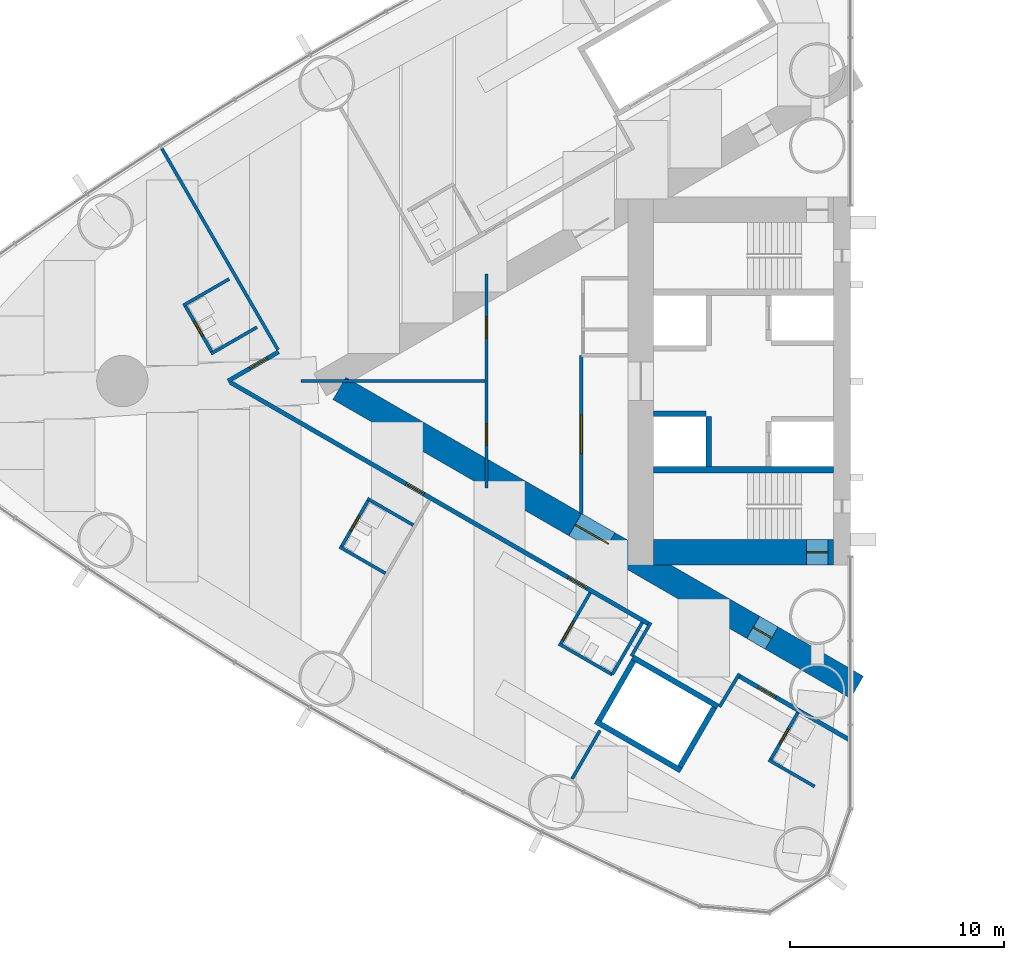
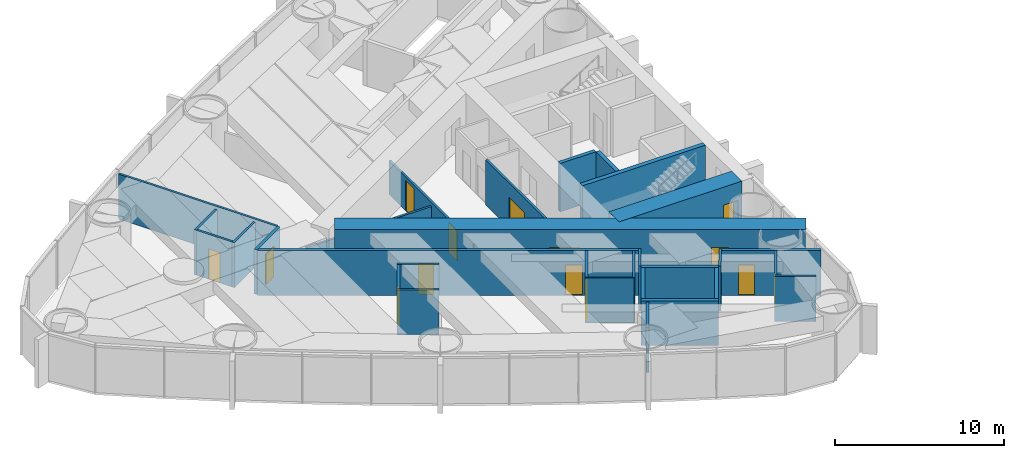
# One storey, part 11 of 18: 30 walls, 14 doors, 14 openings.
"""IFC4 building model written with IfcOpenShell, lengths in metres."""

from ifc_helpers import new_model, si_unit, direction, frame, frame_2d, origin, place, context, subcontext, project, spatial, rectangle, extrude, material, layer, layer_set, type_object, element, fill, save


model = new_model("IFC4")

# Units and contexts
model_context = context("Model", 3, precision=1e-05, world=origin(), true_north=direction((0.0, 1.0)))
body_context = subcontext(model_context, "Body", "Model", "MODEL_VIEW")
ifc_project = project(units=[si_unit("LENGTHUNIT", "METRE"), si_unit("AREAUNIT", "SQUARE_METRE"), si_unit("VOLUMEUNIT", "CUBIC_METRE"), si_unit("PLANEANGLEUNIT", "RADIAN"), si_unit("MASSUNIT", "GRAM", prefix="KILO")], contexts=[model_context])

# Site, building, storey
site_placement = place(None, origin())
site = spatial("IfcSite", under=ifc_project, at=site_placement, CompositionType="ELEMENT")
building_placement = place(site_placement, origin())
building = spatial("IfcBuilding", under=site, at=building_placement, Name="Lancet Gate Hotel", CompositionType="ELEMENT")
storey_placement = place(building_placement, frame((0.0, 0.0, 129.10009765625)))
storey = spatial("IfcBuildingStorey", under=building, at=storey_placement, Name="L34", CompositionType="ELEMENT", Elevation=129.10009765625)

# Wall
ifc_material_1 = material(Name="Moisture resistant board partition")
ifc_layer_1 = layer(ifc_material_1, 0.14990234375)
ifc_layer_set_1 = layer_set([ifc_layer_1], Name="Bathroom wall 150")
wall_type_1 = type_object("IfcWallType", Name="Bathroom wall 150", PredefinedType="PARTITIONING", material=ifc_layer_set_1)
wall_1_placement = place(storey_placement, frame((-56.51708984375, 4.763916015625, 0.0), z_axis=(0.0, 0.0, 1.0), x_axis=(-0.866031185235, -0.4999899861, 0.0)))
element("IfcWall", 1, at=wall_1_placement, inside=storey, type_object=wall_type_1, Name="T1 bathroom wall 150 L34", PredefinedType="PARTITIONING", context=body_context, shape_type="SweptSolid", body=[
    extrude(rectangle(XDim=2.47509765625, YDim=0.14990234375, at=frame_2d((1.237548828125, 0.0))), origin(), (0.0, 0.0, 1.0), 3.25),
])

# Wall, opening, door
wall_2_placement = place(storey_placement, frame((-57.295654296875, 1.312255859375, 0.0), z_axis=(0.0, 0.0, 1.0), x_axis=(-0.49997716683, 0.86603858612, 0.0)))
wall_2 = element("IfcWall", 2, at=wall_2_placement, inside=storey, type_object=wall_type_1, Name="T1 bathroom wall 150 L34", PredefinedType="PARTITIONING", context=body_context, shape_type="SweptSolid", body=[
    extrude(rectangle(XDim=2.599609375, YDim=0.14990234375, at=frame_2d((1.2998046875, 0.0))), origin(), (0.0, 0.0, 1.0), 3.25),
])
opening_1_placement = place(wall_2_placement, frame((0.89990234375, 0.0, 0.0)))
opening_1 = element("IfcOpeningElement", 3, at=opening_1_placement, cuts=wall_2, Name="Opening 3404-B", PredefinedType="OPENING", context=body_context, shape_type="SweptSolid", body=[
    extrude(rectangle(XDim=0.800048828125, YDim=2.199951171875, at=frame_2d((0.39990234375, 1.10009765625))), frame((0.0, 0.0849609375, 0.0), z_axis=(0.0, -1.0, 0.0), x_axis=(1.0, 0.0, 0.0)), (0.0, 0.0, 1.0), 0.169921875),
])
ifc_material_2 = material(Name="Timber door set", Category="wood")
door_type_1 = type_object("IfcDoorType", Name="Bathroom door 800", OperationType="SINGLE_SWING_RIGHT", PredefinedType="DOOR", material=ifc_material_2)
door_1_placement = place(opening_1_placement, origin())
door_1 = element("IfcDoor", 4, at=door_1_placement, inside=storey, type_object=door_type_1, Name="3404-B", OperationType="SINGLE_SWING_RIGHT", OverallHeight=2.199951171875, OverallWidth=0.800048828125, PredefinedType="DOOR", context=body_context, shape_type="SweptSolid", body=[
    extrude(rectangle(XDim=0.800048828125, YDim=2.199951171875, at=frame_2d((0.39990234375, 1.10009765625))), frame((0.0, 0.02490234375, 0.0), z_axis=(0.0, -1.0, 0.0), x_axis=(1.0, 0.0, 0.0)), (0.0, 0.0, 1.0), 0.050048828125),
])
fill(opening_1, door_1)

# Walls
for number, where, z_axis, x_axis, name in (
    (5, (-55.217041015625, 2.51220703125, 0.0), (0.0, 0.0, 1.0), (-0.866031185235, -0.4999899861, 0.0), "T1 bathroom wall 150 L34"),
    (6, (-49.216064453125, -8.97900390625, 0.0), (0.0, 0.0, 1.0), (-0.866031185235, 0.4999899861, 0.0), "T1 bathroom wall 150 L34"),
):
    element("IfcWall", number, at=place(storey_placement, frame(where, z_axis=z_axis, x_axis=x_axis)), inside=storey, type_object=wall_type_1, Name=name, PredefinedType="PARTITIONING", context=body_context, shape_type="SweptSolid", body=[
        extrude(rectangle(XDim=2.47509765625, YDim=0.14990234375, at=frame_2d((1.237548828125, 0.0))), origin(), (0.0, 0.0, 1.0), 3.25),
    ])

# Wall, opening, door
wall_3_placement = place(storey_placement, frame((-49.99462890625, -5.52734375, 0.0), z_axis=(0.0, 0.0, 1.0), x_axis=(-0.500006934395, -0.866021400173, 0.0)))
wall_3 = element("IfcWall", 7, at=wall_3_placement, inside=storey, type_object=wall_type_1, Name="T1 bathroom wall 150 L34", PredefinedType="PARTITIONING", context=body_context, shape_type="SweptSolid", body=[
    extrude(rectangle(XDim=2.60009765625, YDim=0.14990234375, at=frame_2d((1.300048828125, 0.0))), origin(), (0.0, 0.0, 1.0), 3.25),
])
opening_2_placement = place(wall_3_placement, frame((0.89990234375, 0.0, 0.0)))
opening_2 = element("IfcOpeningElement", 8, at=opening_2_placement, cuts=wall_3, Name="Opening 3405-B", PredefinedType="OPENING", context=body_context, shape_type="SweptSolid", body=[
    extrude(rectangle(XDim=0.800048828125, YDim=2.199951171875, at=frame_2d((0.39990234375, 1.10009765625))), frame((0.0, 0.0849609375, 0.0), z_axis=(0.0, -1.0, 0.0), x_axis=(1.0, 0.0, 0.0)), (0.0, 0.0, 1.0), 0.169921875),
])
door_2_placement = place(opening_2_placement, origin())
door_2 = element("IfcDoor", 9, at=door_2_placement, inside=storey, type_object=door_type_1, Name="3405-B", OperationType="SINGLE_SWING_RIGHT", OverallHeight=2.199951171875, OverallWidth=0.800048828125, PredefinedType="DOOR", context=body_context, shape_type="SweptSolid", body=[
    extrude(rectangle(XDim=0.800048828125, YDim=2.199951171875, at=frame_2d((0.39990234375, 1.10009765625))), frame((0.0, 0.02490234375, 0.0), z_axis=(0.0, -1.0, 0.0), x_axis=(1.0, 0.0, 0.0)), (0.0, 0.0, 1.0), 0.050048828125),
])
fill(opening_2, door_2)

# Walls
wall_4_placement = place(storey_placement, frame((-47.916015625, -6.727294921875, 0.0), z_axis=(0.0, 0.0, 1.0), x_axis=(-0.866031185235, 0.4999899861, 0.0)))
element("IfcWall", 10, at=wall_4_placement, inside=storey, type_object=wall_type_1, Name="T1 bathroom wall 150 L34", PredefinedType="PARTITIONING", context=body_context, shape_type="SweptSolid", body=[
    extrude(rectangle(XDim=2.47509765625, YDim=0.14990234375, at=frame_2d((1.237548828125, 0.0))), origin(), (0.0, 0.0, 1.0), 3.25),
])
wall_5_placement = place(storey_placement, frame((-38.630126953125, -13.705322265625, 0.0), z_axis=(0.0, 0.0, 1.0), x_axis=(-0.866018712932, 0.500011588718, 0.0)))
element("IfcWall", 11, at=wall_5_placement, inside=storey, type_object=wall_type_1, Name="T1 bathroom wall 150 L34", PredefinedType="PARTITIONING", context=body_context, shape_type="SweptSolid", body=[
    extrude(rectangle(XDim=2.875, YDim=0.14990234375, at=frame_2d((1.4375, 0.0))), origin(), (0.0, 0.0, 1.0), 3.25),
])

# Wall, opening, door
wall_6_placement = place(storey_placement, frame((-39.65478515625, -9.88037109375, 0.0), z_axis=(0.0, 0.0, 1.0), x_axis=(-0.500049511043, -0.865996816683, 0.0)))
wall_6 = element("IfcWall", 12, at=wall_6_placement, inside=storey, type_object=wall_type_1, Name="T1 bathroom wall 150 L34", PredefinedType="PARTITIONING", context=body_context, shape_type="SweptSolid", body=[
    extrude(rectangle(XDim=2.800048828125, YDim=0.14990234375, at=frame_2d((1.39990234375, 0.0))), origin(), (0.0, 0.0, 1.0), 3.25),
])
opening_3_placement = place(wall_6_placement, frame((1.550048828125, 0.0, 0.0)))
opening_3 = element("IfcOpeningElement", 13, at=opening_3_placement, cuts=wall_6, Name="Opening 3407-B", PredefinedType="OPENING", context=body_context, shape_type="SweptSolid", body=[
    extrude(rectangle(XDim=1.0, YDim=2.199951171875, at=frame_2d((0.5, 1.10009765625))), frame((0.0, 0.0849609375, 0.0), z_axis=(0.0, -1.0, 0.0), x_axis=(1.0, 0.0, 0.0)), (0.0, 0.0, 1.0), 0.169921875),
])
ifc_material_3 = material(Name="Timber door set", Category="wood")
door_type_2 = type_object("IfcDoorType", Name="Accessible en-suite door 1000", OperationType="SINGLE_SWING_RIGHT", PredefinedType="DOOR", material=ifc_material_3)
door_3_placement = place(opening_3_placement, origin())
door_3 = element("IfcDoor", 14, at=door_3_placement, inside=storey, type_object=door_type_2, Name="3407-B", OperationType="SINGLE_SWING_RIGHT", OverallHeight=2.199951171875, OverallWidth=1.0, PredefinedType="DOOR", context=body_context, shape_type="SweptSolid", body=[
    extrude(rectangle(XDim=1.0, YDim=2.199951171875, at=frame_2d((0.5, 1.10009765625))), frame((0.0, 0.02490234375, 0.0), z_axis=(0.0, -1.0, 0.0), x_axis=(1.0, 0.0, 0.0)), (0.0, 0.0, 1.0), 0.050048828125),
])
fill(opening_3, door_3)

# Walls
wall_7_placement = place(storey_placement, frame((-37.22998046875, -11.280517578125, 0.0), z_axis=(0.0, 0.0, 1.0), x_axis=(-0.500049511043, -0.865996816683, 0.0)))
element("IfcWall", 15, at=wall_7_placement, inside=storey, type_object=wall_type_1, Name="T1 bathroom wall 150 L34", PredefinedType="PARTITIONING", context=body_context, shape_type="SweptSolid", body=[
    extrude(rectangle(XDim=2.800048828125, YDim=0.14990234375, at=frame_2d((1.39990234375, 0.0))), origin(), (0.0, 0.0, 1.0), 3.25),
])
wall_8_placement = place(storey_placement, frame((-29.181884765625, -18.92919921875, 0.0), z_axis=(0.0, 0.0, 1.0), x_axis=(-0.866006523861, 0.500032699561, 0.0)))
element("IfcWall", 16, at=wall_8_placement, inside=storey, type_object=wall_type_1, Name="T1 bathroom wall 150 L34", PredefinedType="PARTITIONING", context=body_context, shape_type="SweptSolid", body=[
    extrude(rectangle(XDim=2.474853515625, YDim=0.14990234375, at=frame_2d((1.2373046875, 0.0))), origin(), (0.0, 0.0, 1.0), 3.25),
])

# Wall, opening, door
wall_9_placement = place(storey_placement, frame((-29.960205078125, -15.4775390625, 0.0), z_axis=(0.0, 0.0, 1.0), x_axis=(-0.500006934395, -0.866021400173, 0.0)))
wall_9 = element("IfcWall", 17, at=wall_9_placement, inside=storey, type_object=wall_type_1, Name="T1 bathroom wall 150 L34", PredefinedType="PARTITIONING", context=body_context, shape_type="SweptSolid", body=[
    extrude(rectangle(XDim=2.60009765625, YDim=0.14990234375, at=frame_2d((1.300048828125, 0.0))), origin(), (0.0, 0.0, 1.0), 3.25),
])
opening_4_placement = place(wall_9_placement, frame((0.89990234375, 0.0, 0.0)))
opening_4 = element("IfcOpeningElement", 18, at=opening_4_placement, cuts=wall_9, Name="Opening 3408-B", PredefinedType="OPENING", context=body_context, shape_type="SweptSolid", body=[
    extrude(rectangle(XDim=0.800048828125, YDim=2.199951171875, at=frame_2d((0.39990234375, 1.10009765625))), frame((0.0, 0.0849609375, 0.0), z_axis=(0.0, -1.0, 0.0), x_axis=(1.0, 0.0, 0.0)), (0.0, 0.0, 1.0), 0.169921875),
])
door_4_placement = place(opening_4_placement, origin())
door_4 = element("IfcDoor", 19, at=door_4_placement, inside=storey, type_object=door_type_1, Name="3408-B", OperationType="SINGLE_SWING_RIGHT", OverallHeight=2.199951171875, OverallWidth=0.800048828125, PredefinedType="DOOR", context=body_context, shape_type="SweptSolid", body=[
    extrude(rectangle(XDim=0.800048828125, YDim=2.199951171875, at=frame_2d((0.39990234375, 1.10009765625))), frame((0.0, 0.02490234375, 0.0), z_axis=(0.0, -1.0, 0.0), x_axis=(1.0, 0.0, 0.0)), (0.0, 0.0, 1.0), 0.050048828125),
])
fill(opening_4, door_4)

# Wall, openings, doors
ifc_material_4 = material(Name="Concrete C70/85", Category="concrete")
ifc_layer_2 = layer(ifc_material_4, 1.199951171875)
ifc_layer_set_2 = layer_set([ifc_layer_2], Name="Buttress wall 1200")
wall_type_2 = type_object("IfcWallType", Name="Buttress wall 1200", PredefinedType="SHEAR", material=ifc_layer_set_2)
wall_10_placement = place(storey_placement, frame((-27.199951171875, -14.300048828125, 0.0), z_axis=(0.0, 0.0, 1.0), x_axis=(-0.866024021859, 0.500002393557, 0.0)))
wall_10 = element("IfcWall", 20, at=wall_10_placement, inside=storey, type_object=wall_type_2, Name="T1 buttress wall N L34", PredefinedType="SHEAR", context=body_context, shape_type="SweptSolid", body=[
    extrude(rectangle(XDim=27.906982421875, YDim=1.199951171875, at=frame_2d((13.95361328125, 0.0))), origin(), (0.0, 0.0, 1.0), 3.5),
])
opening_5_placement = place(wall_10_placement, frame((4.60009765625, 0.0, 0.0)))
opening_5 = element("IfcOpeningElement", 21, at=opening_5_placement, cuts=wall_10, Name="Opening T1-L34-LN", PredefinedType="OPENING", context=body_context, shape_type="SweptSolid", body=[
    extrude(rectangle(XDim=1.0, YDim=2.199951171875, at=frame_2d((0.5, 1.10009765625))), frame((0.0, 0.60986328125, 0.0), z_axis=(0.0, -1.0, 0.0), x_axis=(1.0, 0.0, 0.0)), (0.0, 0.0, 1.0), 1.219970703125),
])
opening_6_placement = place(wall_10_placement, frame((13.39453125, 0.0, 0.0)))
opening_6 = element("IfcOpeningElement", 22, at=opening_6_placement, cuts=wall_10, Name="Opening T1-L34-LHN", PredefinedType="OPENING", context=body_context, shape_type="SweptSolid", body=[
    extrude(rectangle(XDim=1.800048828125, YDim=2.199951171875, at=frame_2d((0.89990234375, 1.10009765625))), frame((0.0, 0.60986328125, 0.0), z_axis=(0.0, -1.0, 0.0), x_axis=(1.0, 0.0, 0.0)), (0.0, 0.0, 1.0), 1.219970703125),
])
ifc_material_5 = material(Name="Timber door set", Category="wood")
door_type_3 = type_object("IfcDoorType", Name="Lobby double door 1800", OperationType="DOUBLE_DOOR_SINGLE_SWING", PredefinedType="DOOR", material=ifc_material_5)
door_5_placement = place(opening_6_placement, origin())
door_5 = element("IfcDoor", 23, at=door_5_placement, inside=storey, type_object=door_type_3, Name="T1-L34-LHN", OperationType="DOUBLE_DOOR_SINGLE_SWING", OverallHeight=2.199951171875, OverallWidth=1.800048828125, PredefinedType="DOOR", context=body_context, shape_type="SweptSolid", body=[
    extrude(rectangle(XDim=1.800048828125, YDim=2.199951171875, at=frame_2d((0.89990234375, 1.10009765625))), frame((0.0, 0.02490234375, 0.0), z_axis=(0.0, -1.0, 0.0), x_axis=(1.0, 0.0, 0.0)), (0.0, 0.0, 1.0), 0.050048828125),
])
fill(opening_6, door_5)
ifc_material_6 = material(Name="Timber door set", Category="wood")
door_type_4 = type_object("IfcDoorType", Name="Stair lobby door 1000", OperationType="SINGLE_SWING_LEFT", PredefinedType="DOOR", material=ifc_material_6)
door_6_placement = place(opening_5_placement, origin())
door_6 = element("IfcDoor", 24, at=door_6_placement, inside=storey, type_object=door_type_4, Name="T1-L34-LN", OperationType="SINGLE_SWING_LEFT", OverallHeight=2.199951171875, OverallWidth=1.0, PredefinedType="DOOR", context=body_context, shape_type="SweptSolid", body=[
    extrude(rectangle(XDim=1.0, YDim=2.199951171875, at=frame_2d((0.5, 1.10009765625))), frame((0.0, 0.02490234375, 0.0), z_axis=(0.0, -1.0, 0.0), x_axis=(1.0, 0.0, 0.0)), (0.0, 0.0, 1.0), 0.050048828125),
])
fill(opening_5, door_6)

# Wall, opening, door
ifc_material_7 = material(Name="Concrete C70/85", Category="concrete")
ifc_layer_3 = layer(ifc_material_7, 1.199951171875)
ifc_layer_set_3 = layer_set([ifc_layer_3], Name="Core wall 1200")
wall_type_3 = type_object("IfcWallType", Name="Core wall 1200", PredefinedType="SHEAR", material=ifc_layer_set_3)
wall_11_placement = place(storey_placement, frame((-28.300048828125, -8.0, 0.0), z_axis=(0.0, 0.0, 1.0), x_axis=(-1.0, 0.0, 0.0)))
wall_11 = element("IfcWall", 25, at=wall_11_placement, inside=storey, type_object=wall_type_3, Name="T1 core wall side-N L34", PredefinedType="SHEAR", context=body_context, shape_type="SweptSolid", body=[
    extrude(rectangle(XDim=8.39990234375, YDim=1.199951171875, at=frame_2d((4.199951171875, 0.0))), origin(), (0.0, 0.0, 1.0), 3.5),
])
opening_7_placement = place(wall_11_placement, frame((0.25, 0.0, 0.0)))
opening_7 = element("IfcOpeningElement", 26, at=opening_7_placement, cuts=wall_11, Name="Opening T1-L34-ST2", PredefinedType="OPENING", context=body_context, shape_type="SweptSolid", body=[
    extrude(rectangle(XDim=1.0, YDim=2.199951171875, at=frame_2d((0.5, 1.10009765625))), frame((0.0, 0.60986328125, 0.0), z_axis=(0.0, -1.0, 0.0), x_axis=(1.0, 0.0, 0.0)), (0.0, 0.0, 1.0), 1.219970703125),
])
ifc_material_8 = material(Name="Timber door set", Category="wood")
door_type_5 = type_object("IfcDoorType", Name="Stair door 1000", OperationType="SINGLE_SWING_RIGHT", PredefinedType="DOOR", material=ifc_material_8)
door_7_placement = place(opening_7_placement, origin())
door_7 = element("IfcDoor", 27, at=door_7_placement, inside=storey, type_object=door_type_5, Name="T1-L34-ST2", OperationType="SINGLE_SWING_RIGHT", OverallHeight=2.199951171875, OverallWidth=1.0, PredefinedType="DOOR", context=body_context, shape_type="SweptSolid", body=[
    extrude(rectangle(XDim=1.0, YDim=2.199951171875, at=frame_2d((0.5, 1.10009765625))), frame((0.0, 0.02490234375, 0.0), z_axis=(0.0, -1.0, 0.0), x_axis=(1.0, 0.0, 0.0)), (0.0, 0.0, 1.0), 0.050048828125),
])
fill(opening_7, door_7)

ifc_material_9 = material(Name="Gypsum board partition")
ifc_layer_4 = layer(ifc_material_9, 0.199951171875)
ifc_layer_set_4 = layer_set([ifc_layer_4], Name="Corridor wall 200")
wall_type_4 = type_object("IfcWallType", Name="Corridor wall 200", PredefinedType="PARTITIONING", material=ifc_layer_set_4)
wall_12_placement = place(storey_placement, frame((-27.572021484375, -16.740966796875, 0.0), z_axis=(0.0, 0.0, 1.0), x_axis=(-0.866024464444, 0.500001626982, 0.0)))
wall_12 = element("IfcWall", 28, at=wall_12_placement, inside=storey, type_object=wall_type_4, Name="T1 corridor wall 200 L34", PredefinedType="PARTITIONING", context=body_context, shape_type="SweptSolid", body=[
    extrude(rectangle(XDim=5.955078125, YDim=0.199951171875, at=frame_2d((2.9775390625, 0.0))), origin(), (0.0, 0.0, 1.0), 3.25),
])
opening_8_placement = place(wall_12_placement, frame((3.949951171875, 0.0, 0.0)))
opening_8 = element("IfcOpeningElement", 29, at=opening_8_placement, cuts=wall_12, Name="Opening 3408-E", PredefinedType="OPENING", context=body_context, shape_type="SweptSolid", body=[
    extrude(rectangle(XDim=0.949951171875, YDim=2.199951171875, at=frame_2d((0.47509765625, 1.10009765625))), frame((0.0, 0.10986328125, 0.0), z_axis=(0.0, -1.0, 0.0), x_axis=(1.0, 0.0, 0.0)), (0.0, 0.0, 1.0), 0.219970703125),
])
ifc_material_10 = material(Name="Timber door set", Category="wood")
door_type_6 = type_object("IfcDoorType", Name="Guest room entry door 950", OperationType="SINGLE_SWING_LEFT", PredefinedType="DOOR", material=ifc_material_10)
door_8_placement = place(opening_8_placement, origin())
door_8 = element("IfcDoor", 30, at=door_8_placement, inside=storey, type_object=door_type_6, Name="3408-E", OperationType="SINGLE_SWING_LEFT", OverallHeight=2.199951171875, OverallWidth=0.949951171875, PredefinedType="DOOR", context=body_context, shape_type="SweptSolid", body=[
    extrude(rectangle(XDim=0.949951171875, YDim=2.199951171875, at=frame_2d((0.47509765625, 1.10009765625))), frame((0.0, 0.02490234375, 0.0), z_axis=(0.0, -1.0, 0.0), x_axis=(1.0, 0.0, 0.0)), (0.0, 0.0, 1.0), 0.050048828125),
])
fill(opening_8, door_8)

# Wall, openings, doors
wall_13_placement = place(storey_placement, frame((-36.920166015625, -11.34375, 0.0), z_axis=(0.0, 0.0, 1.0), x_axis=(-0.866028313256, 0.499994960614, 0.0)))
wall_13 = element("IfcWall", 31, at=wall_13_placement, inside=storey, type_object=wall_type_4, Name="T1 corridor wall 200 L34", PredefinedType="PARTITIONING", context=body_context, shape_type="SweptSolid", body=[
    extrude(rectangle(XDim=22.567626953125, YDim=0.199951171875, at=frame_2d((11.28369140625, 0.0))), origin(), (0.0, 0.0, 1.0), 3.25),
])
opening_9_placement = place(wall_13_placement, frame((12.130859375, 0.0, 0.0)))
opening_9 = element("IfcOpeningElement", 32, at=opening_9_placement, cuts=wall_13, Name="Opening 3405-E", PredefinedType="OPENING", context=body_context, shape_type="SweptSolid", body=[
    extrude(rectangle(XDim=0.949951171875, YDim=2.199951171875, at=frame_2d((0.47509765625, 1.10009765625))), frame((0.0, 0.10986328125, 0.0), z_axis=(0.0, -1.0, 0.0), x_axis=(1.0, 0.0, 0.0)), (0.0, 0.0, 1.0), 0.219970703125),
])
opening_10_placement = place(wall_13_placement, frame((3.35009765625, 0.0, 0.0)))
opening_10 = element("IfcOpeningElement", 33, at=opening_10_placement, cuts=wall_13, Name="Opening 3407-E", PredefinedType="OPENING", context=body_context, shape_type="SweptSolid", body=[
    extrude(rectangle(XDim=1.0, YDim=2.199951171875, at=frame_2d((0.5, 1.10009765625))), frame((0.0, 0.10986328125, 0.0), z_axis=(0.0, -1.0, 0.0), x_axis=(1.0, 0.0, 0.0)), (0.0, 0.0, 1.0), 0.219970703125),
])
ifc_material_11 = material(Name="Timber door set", Category="wood")
door_type_7 = type_object("IfcDoorType", Name="Accessible guest room door 1000", OperationType="SINGLE_SWING_LEFT", PredefinedType="DOOR", material=ifc_material_11)
door_9_placement = place(opening_10_placement, origin())
door_9 = element("IfcDoor", 34, at=door_9_placement, inside=storey, type_object=door_type_7, Name="3407-E", OperationType="SINGLE_SWING_LEFT", OverallHeight=2.199951171875, OverallWidth=1.0, PredefinedType="DOOR", context=body_context, shape_type="SweptSolid", body=[
    extrude(rectangle(XDim=1.0, YDim=2.199951171875, at=frame_2d((0.5, 1.10009765625))), frame((0.0, 0.02490234375, 0.0), z_axis=(0.0, -1.0, 0.0), x_axis=(1.0, 0.0, 0.0)), (0.0, 0.0, 1.0), 0.050048828125),
])
fill(opening_10, door_9)
door_10_placement = place(opening_9_placement, origin())
door_10 = element("IfcDoor", 35, at=door_10_placement, inside=storey, type_object=door_type_6, Name="3405-E", OperationType="SINGLE_SWING_LEFT", OverallHeight=2.199951171875, OverallWidth=0.949951171875, PredefinedType="DOOR", context=body_context, shape_type="SweptSolid", body=[
    extrude(rectangle(XDim=0.949951171875, YDim=2.199951171875, at=frame_2d((0.47509765625, 1.10009765625))), frame((0.0, 0.02490234375, 0.0), z_axis=(0.0, -1.0, 0.0), x_axis=(1.0, 0.0, 0.0)), (0.0, 0.0, 1.0), 0.050048828125),
])
fill(opening_9, door_10)

# Wall, opening, door
wall_14_placement = place(storey_placement, frame((-54.207275390625, 1.363037109375, 0.0), z_axis=(0.0, 0.0, 1.0), x_axis=(-0.866046902845, -0.499962760685, 0.0)))
wall_14 = element("IfcWall", 36, at=wall_14_placement, inside=storey, type_object=wall_type_4, Name="T1 corridor wall 200 L34", PredefinedType="PARTITIONING", context=body_context, shape_type="SweptSolid", body=[
    extrude(rectangle(XDim=2.726318359375, YDim=0.199951171875, at=frame_2d((1.36328125, 0.0))), origin(), (0.0, 0.0, 1.0), 3.25),
])
opening_11_placement = place(wall_14_placement, frame((0.60009765625, 0.0, 0.0)))
opening_11 = element("IfcOpeningElement", 37, at=opening_11_placement, cuts=wall_14, Name="Opening 3404-E", PredefinedType="OPENING", context=body_context, shape_type="SweptSolid", body=[
    extrude(rectangle(XDim=0.949951171875, YDim=2.199951171875, at=frame_2d((0.47509765625, 1.10009765625))), frame((0.0, 0.10986328125, 0.0), z_axis=(0.0, -1.0, 0.0), x_axis=(1.0, 0.0, 0.0)), (0.0, 0.0, 1.0), 0.219970703125),
])
door_11_placement = place(opening_11_placement, origin())
door_11 = element("IfcDoor", 38, at=door_11_placement, inside=storey, type_object=door_type_6, Name="3404-E", OperationType="SINGLE_SWING_LEFT", OverallHeight=2.199951171875, OverallWidth=0.949951171875, PredefinedType="DOOR", context=body_context, shape_type="SweptSolid", body=[
    extrude(rectangle(XDim=0.949951171875, YDim=2.199951171875, at=frame_2d((0.47509765625, 1.10009765625))), frame((0.0, 0.02490234375, 0.0), z_axis=(0.0, -1.0, 0.0), x_axis=(1.0, 0.0, 0.0)), (0.0, 0.0, 1.0), 0.050048828125),
])
fill(opening_11, door_11)

# Walls
ifc_material_12 = material(Name="Gypsum board partition")
ifc_layer_5 = layer(ifc_material_12, 0.25)
ifc_layer_set_5 = layer_set([ifc_layer_5], Name="Lift shaft partition 250")
wall_type_5 = type_object("IfcWallType", Name="Lift shaft partition 250", PredefinedType="PARTITIONING", material=ifc_layer_set_5)
wall_15_placement = place(storey_placement, frame((-33.695556640625, -15.197265625, 0.0), z_axis=(0.0, 0.0, 1.0), x_axis=(-0.865976953817, 0.500083908417, 0.0)))
element("IfcWall", 39, at=wall_15_placement, inside=storey, type_object=wall_type_5, Name="T1 lift shaft wall EX L34", PredefinedType="PARTITIONING", context=body_context, shape_type="SweptSolid", body=[
    extrude(rectangle(XDim=4.599365234375, YDim=0.25, at=frame_2d((2.2998046875, 0.0))), origin(), (0.0, 0.0, 1.0), 3.25),
])
wall_16_placement = place(storey_placement, frame((-35.42041015625, -18.185791015625, 0.0), z_axis=(0.0, 0.0, 1.0), x_axis=(-0.865990227814, 0.50006092162, 0.0)))
element("IfcWall", 40, at=wall_16_placement, inside=storey, type_object=wall_type_5, Name="T1 lift shaft wall EX L34", PredefinedType="PARTITIONING", context=body_context, shape_type="SweptSolid", body=[
    extrude(rectangle(XDim=4.599609375, YDim=0.25, at=frame_2d((2.2998046875, 0.0))), origin(), (0.0, 0.0, 1.0), 3.25),
])
wall_17_placement = place(storey_placement, frame((-33.8662109375, -15.242919921875, 0.0), z_axis=(0.0, 0.0, 1.0), x_axis=(-0.499929347863, -0.866066190972, 0.0)))
element("IfcWall", 41, at=wall_17_placement, inside=storey, type_object=wall_type_5, Name="T1 lift shaft wall EX L34", PredefinedType="PARTITIONING", context=body_context, shape_type="SweptSolid", body=[
    extrude(rectangle(XDim=3.20068359375, YDim=0.25, at=frame_2d((1.600341796875, 0.0))), origin(), (0.0, 0.0, 1.0), 3.25),
])
wall_18_placement = place(storey_placement, frame((-37.6328125, -13.068115234375, 0.0), z_axis=(0.0, 0.0, 1.0), x_axis=(-0.499872130319, -0.866099216793, 0.0)))
element("IfcWall", 42, at=wall_18_placement, inside=storey, type_object=wall_type_5, Name="T1 lift shaft wall EX L34", PredefinedType="PARTITIONING", context=body_context, shape_type="SweptSolid", body=[
    extrude(rectangle(XDim=3.200439453125, YDim=0.25, at=frame_2d((1.60009765625, 0.0))), origin(), (0.0, 0.0, 1.0), 3.25),
])
ifc_material_13 = material(Name="Concrete C50/60", Category="concrete")
ifc_layer_6 = layer(ifc_material_13, 0.25)
ifc_layer_set_6 = layer_set([ifc_layer_6], Name="Lift shaft wall 250")
wall_type_6 = type_object("IfcWallType", Name="Lift shaft wall 250", PredefinedType="SHEAR", material=ifc_layer_set_6)
wall_19_placement = place(storey_placement, frame((-34.125, -1.64990234375, 0.0), z_axis=(0.0, 0.0, 1.0), x_axis=(0.0, -1.0, 0.0)))
element("IfcWall", 43, at=wall_19_placement, inside=storey, type_object=wall_type_6, Name="T1 core wall row2-N L34", PredefinedType="SHEAR", context=body_context, shape_type="SweptSolid", body=[
    extrude(rectangle(XDim=2.35009765625, YDim=0.25, at=frame_2d((1.175048828125, 0.0))), origin(), (0.0, 0.0, 1.0), 3.5),
])
wall_20_placement = place(storey_placement, frame((-34.25, -1.52490234375, 0.0), z_axis=(0.0, 0.0, 1.0), x_axis=(-1.0, 0.0, 0.0)))
element("IfcWall", 44, at=wall_20_placement, inside=storey, type_object=wall_type_6, Name="T1 core wall pass2-N L34", PredefinedType="SHEAR", context=body_context, shape_type="SweptSolid", body=[
    extrude(rectangle(XDim=2.449951171875, YDim=0.25, at=frame_2d((1.22509765625, 0.0))), origin(), (0.0, 0.0, 1.0), 3.5),
])
ifc_material_14 = material(Name="Gypsum board partition")
ifc_layer_7 = layer(ifc_material_14, 0.14990234375)
ifc_layer_set_7 = layer_set([ifc_layer_7], Name="Party wall 150")
wall_type_7 = type_object("IfcWallType", Name="Party wall 150", PredefinedType="PARTITIONING", material=ifc_layer_set_7)
wall_21_placement = place(storey_placement, frame((-54.235595703125, 1.462158203125, 0.0), z_axis=(0.0, 0.0, 1.0), x_axis=(-0.499990351854, 0.866030974073, 0.0)))
element("IfcWall", 45, at=wall_21_placement, inside=storey, type_object=wall_type_7, Name="T1 party wall 150 L34", PredefinedType="PARTITIONING", context=body_context, shape_type="SweptSolid", body=[
    extrude(rectangle(XDim=10.833740234375, YDim=0.14990234375, at=frame_2d((5.4169921875, 0.0))), origin(), (0.0, 0.0, 1.0), 3.25),
])
wall_22_placement = place(storey_placement, frame((-39.2021484375, -16.319580078125, 0.0), z_axis=(0.0, 0.0, 1.0), x_axis=(-0.49997716683, -0.86603858612, 0.0)))
element("IfcWall", 46, at=wall_22_placement, inside=storey, type_object=wall_type_7, Name="T1 party wall 150 L34", PredefinedType="PARTITIONING", context=body_context, shape_type="SweptSolid", body=[
    extrude(rectangle(XDim=2.599609375, YDim=0.14990234375, at=frame_2d((1.2998046875, 0.0))), origin(), (0.0, 0.0, 1.0), 3.25),
])
ifc_material_15 = material(Name="Gypsum board partition")
ifc_layer_8 = layer(ifc_material_15, 0.14990234375)
ifc_layer_set_8 = layer_set([ifc_layer_8], Name="Service room wall 150")
wall_type_8 = type_object("IfcWallType", Name="Service room wall 150", PredefinedType="PARTITIONING", material=ifc_layer_set_8)
wall_23_placement = place(storey_placement, frame((-36.831298828125, -11.27978515625, 0.0), z_axis=(0.0, 0.0, 1.0), x_axis=(-0.499937177781, -0.866061671171, 0.0)))
element("IfcWall", 47, at=wall_23_placement, inside=storey, type_object=wall_type_8, Name="T1 service room wall 150 L34", PredefinedType="PARTITIONING", context=body_context, shape_type="SweptSolid", body=[
    extrude(rectangle(XDim=1.804443359375, YDim=0.14990234375, at=frame_2d((0.90234375, 0.0))), origin(), (0.0, 0.0, 1.0), 3.25),
])
wall_24_placement = place(storey_placement, frame((-33.62060546875, -15.217529296875, 0.0), z_axis=(0.0, 0.0, 1.0), x_axis=(0.514336634837, 0.857588377991, 0.0)))
element("IfcWall", 48, at=wall_24_placement, inside=storey, type_object=wall_type_8, Name="T1 service room wall 150 L34", PredefinedType="PARTITIONING", context=body_context, shape_type="SweptSolid", body=[
    extrude(rectangle(XDim=1.80517578125, YDim=0.14990234375, at=frame_2d((0.902587890625, 0.0))), origin(), (0.0, 0.0, 1.0), 3.25),
])

# Wall, opening, door
wall_25_placement = place(storey_placement, frame((-40.074951171875, 1.199951171875, 0.0), z_axis=(0.0, 0.0, 1.0), x_axis=(0.0, -1.0, 0.0)))
wall_25 = element("IfcWall", 49, at=wall_25_placement, inside=storey, type_object=wall_type_8, Name="T1 service room wall 150 L34", PredefinedType="PARTITIONING", context=body_context, shape_type="SweptSolid", body=[
    extrude(rectangle(XDim=7.373779296875, YDim=0.14990234375, at=frame_2d((3.68701171875, 0.0))), origin(), (0.0, 0.0, 1.0), 3.25),
])
opening_12_placement = place(wall_25_placement, frame((2.786865234375, 0.0, 0.0)))
opening_12 = element("IfcOpeningElement", 50, at=opening_12_placement, cuts=wall_25, Name="Opening T1-L34-LH", PredefinedType="OPENING", context=body_context, shape_type="SweptSolid", body=[
    extrude(rectangle(XDim=1.800048828125, YDim=2.199951171875, at=frame_2d((0.89990234375, 1.10009765625))), frame((0.0, 0.0849609375, 0.0), z_axis=(0.0, -1.0, 0.0), x_axis=(1.0, 0.0, 0.0)), (0.0, 0.0, 1.0), 0.169921875),
])
door_12_placement = place(opening_12_placement, origin())
door_12 = element("IfcDoor", 51, at=door_12_placement, inside=storey, type_object=door_type_3, Name="T1-L34-LH", OperationType="DOUBLE_DOOR_SINGLE_SWING", OverallHeight=2.199951171875, OverallWidth=1.800048828125, PredefinedType="DOOR", context=body_context, shape_type="SweptSolid", body=[
    extrude(rectangle(XDim=1.800048828125, YDim=2.199951171875, at=frame_2d((0.89990234375, 1.10009765625))), frame((0.0, 0.02490234375, 0.0), z_axis=(0.0, -1.0, 0.0), x_axis=(1.0, 0.0, 0.0)), (0.0, 0.0, 1.0), 0.050048828125),
])
fill(opening_12, door_12)

# Wall, openings, doors
wall_26_placement = place(storey_placement, frame((-44.5, 5.004638671875, 0.0), z_axis=(0.0, 0.0, 1.0), x_axis=(0.0, -1.0, 0.0)))
wall_26 = element("IfcWall", 52, at=wall_26_placement, inside=storey, type_object=wall_type_8, Name="T1 service room wall 150 L34", PredefinedType="PARTITIONING", context=body_context, shape_type="SweptSolid", body=[
    extrude(rectangle(XDim=10.00927734375, YDim=0.14990234375, at=frame_2d((5.004638671875, 0.0))), origin(), (0.0, 0.0, 1.0), 2.449951171875),
])
opening_13_placement = place(wall_26_placement, frame((2.002197265625, 0.0, 0.0)))
opening_13 = element("IfcOpeningElement", 53, at=opening_13_placement, cuts=wall_26, Name="Opening T1-L34-SV", PredefinedType="OPENING", context=body_context, shape_type="SweptSolid", body=[
    extrude(rectangle(XDim=1.0, YDim=2.199951171875, at=frame_2d((0.5, 1.10009765625))), frame((0.0, 0.0849609375, 0.0), z_axis=(0.0, -1.0, 0.0), x_axis=(1.0, 0.0, 0.0)), (0.0, 0.0, 1.0), 0.169921875),
])
opening_14_placement = place(wall_26_placement, frame((7.0068359375, 0.0, 0.0)))
opening_14 = element("IfcOpeningElement", 54, at=opening_14_placement, cuts=wall_26, Name="Opening T1-L34-SV2", PredefinedType="OPENING", context=body_context, shape_type="SweptSolid", body=[
    extrude(rectangle(XDim=1.0, YDim=2.199951171875, at=frame_2d((0.5, 1.10009765625))), frame((0.0, 0.0849609375, 0.0), z_axis=(0.0, -1.0, 0.0), x_axis=(1.0, 0.0, 0.0)), (0.0, 0.0, 1.0), 0.169921875),
])
ifc_material_16 = material(Name="Timber door set", Category="wood")
door_type_8 = type_object("IfcDoorType", Name="Service door 1000", OperationType="SINGLE_SWING_LEFT", PredefinedType="DOOR", material=ifc_material_16)
door_13_placement = place(opening_13_placement, origin())
door_13 = element("IfcDoor", 55, at=door_13_placement, inside=storey, type_object=door_type_8, Name="T1-L34-SV", OperationType="SINGLE_SWING_LEFT", OverallHeight=2.199951171875, OverallWidth=1.0, PredefinedType="DOOR", context=body_context, shape_type="SweptSolid", body=[
    extrude(rectangle(XDim=1.0, YDim=2.199951171875, at=frame_2d((0.5, 1.10009765625))), frame((0.0, 0.02490234375, 0.0), z_axis=(0.0, -1.0, 0.0), x_axis=(1.0, 0.0, 0.0)), (0.0, 0.0, 1.0), 0.050048828125),
])
fill(opening_13, door_13)
door_14_placement = place(opening_14_placement, origin())
door_14 = element("IfcDoor", 56, at=door_14_placement, inside=storey, type_object=door_type_8, Name="T1-L34-SV2", OperationType="SINGLE_SWING_LEFT", OverallHeight=2.199951171875, OverallWidth=1.0, PredefinedType="DOOR", context=body_context, shape_type="SweptSolid", body=[
    extrude(rectangle(XDim=1.0, YDim=2.199951171875, at=frame_2d((0.5, 1.10009765625))), frame((0.0, 0.02490234375, 0.0), z_axis=(0.0, -1.0, 0.0), x_axis=(1.0, 0.0, 0.0)), (0.0, 0.0, 1.0), 0.050048828125),
])
fill(opening_14, door_14)

# Walls
wall_27_placement = place(storey_placement, frame((-44.574951171875, 0.0, 0.0), z_axis=(0.0, 0.0, 1.0), x_axis=(-1.0, 0.0, 0.0)))
element("IfcWall", 57, at=wall_27_placement, inside=storey, type_object=wall_type_8, Name="T1 service room wall 150 L34", PredefinedType="PARTITIONING", context=body_context, shape_type="SweptSolid", body=[
    extrude(rectangle(XDim=8.59326171875, YDim=0.14990234375, at=frame_2d((4.296630859375, 0.0))), origin(), (0.0, 0.0, 1.0), 2.199951171875),
])
ifc_material_17 = material(Name="Concrete C50/60", Category="concrete")
ifc_layer_9 = layer(ifc_material_17, 0.300048828125)
ifc_layer_set_9 = layer_set([ifc_layer_9], Name="Stair enclosure wall 300")
wall_type_9 = type_object("IfcWallType", Name="Stair enclosure wall 300", PredefinedType="SHEAR", material=ifc_layer_set_9)
wall_28_placement = place(storey_placement, frame((-28.300048828125, -4.14990234375, 0.0), z_axis=(0.0, 0.0, 1.0), x_axis=(-1.0, 0.0, 0.0)))
element("IfcWall", 58, at=wall_28_placement, inside=storey, type_object=wall_type_9, Name="T1 core wall stair-N L34", PredefinedType="SHEAR", context=body_context, shape_type="SweptSolid", body=[
    extrude(rectangle(XDim=8.39990234375, YDim=0.300048828125, at=frame_2d((4.199951171875, 0.0))), origin(), (0.0, 0.0, 1.0), 3.5),
])

save(model, "model.ifc")
